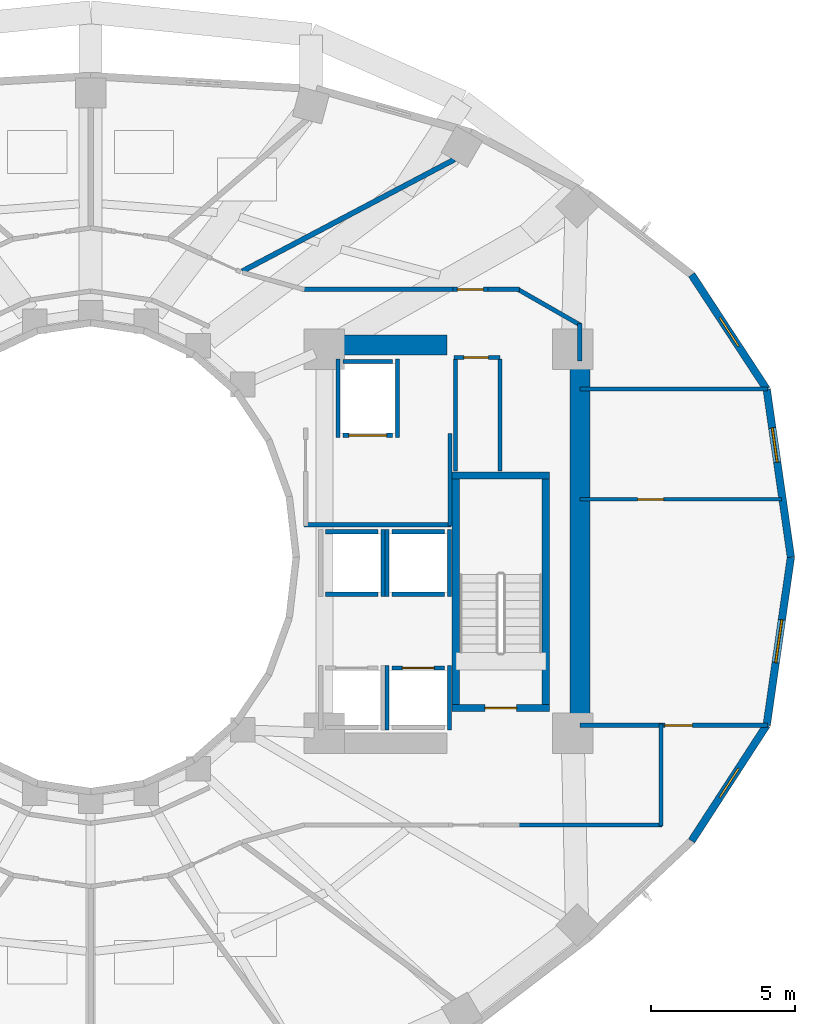
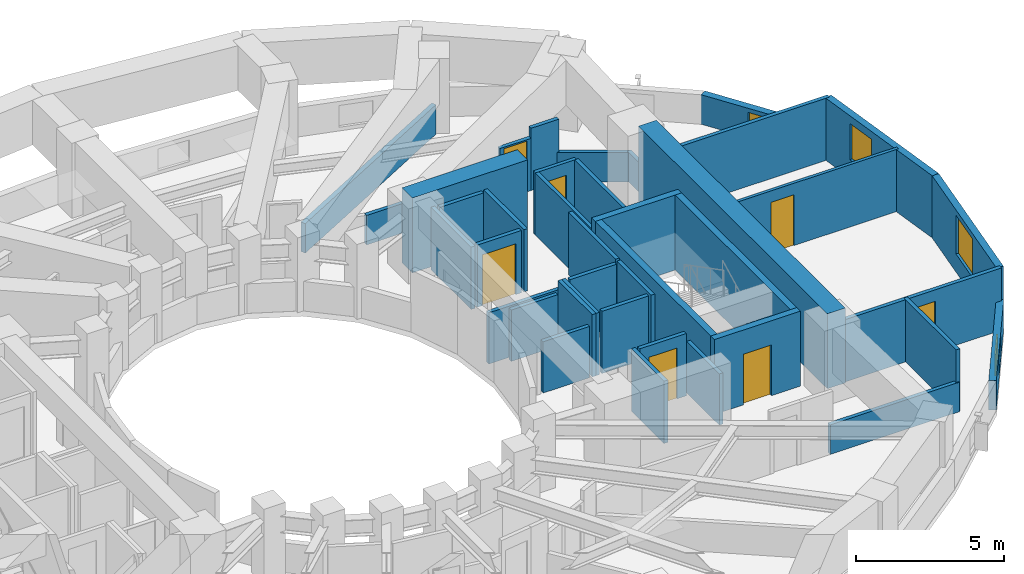
# One storey, part 6 of 10: 40 walls, 7 doors, 4 windows, 11 openings.
"""IFC4 building model written with IfcOpenShell, lengths in metres."""

from ifc_helpers import new_model, si_unit, direction, frame, frame_2d, origin, place, context, subcontext, project, spatial, rectangle, extrude, material, layer, layer_set, type_object, element, fill, save


model = new_model("IFC4")

# Units and contexts
model_context = context("Model", 3, precision=1e-05, world=origin(), true_north=direction((0.0, 1.0)))
body_context = subcontext(model_context, "Body", "Model", "MODEL_VIEW")
ifc_project = project(units=[si_unit("LENGTHUNIT", "METRE"), si_unit("AREAUNIT", "SQUARE_METRE"), si_unit("VOLUMEUNIT", "CUBIC_METRE"), si_unit("PLANEANGLEUNIT", "RADIAN"), si_unit("MASSUNIT", "GRAM", prefix="KILO")], contexts=[model_context])

# Site, building, storey
site_placement = place(None, origin())
site = spatial("IfcSite", under=ifc_project, at=site_placement, CompositionType="ELEMENT")
building_placement = place(site_placement, origin())
building = spatial("IfcBuilding", under=site, at=building_placement, Name="Solvane Sanctuary Tower", CompositionType="ELEMENT")
storey_placement = place(building_placement, frame((0.0, 0.0, 101.10009765625)))
storey = spatial("IfcBuildingStorey", under=building, at=storey_placement, Name="L30", CompositionType="ELEMENT", Elevation=101.10009765625)

# Walls
ifc_material_1 = material(Name="Concrete C60/75", Category="concrete")
ifc_layer_1 = layer(ifc_material_1, 0.699951171875, Name="Concrete C60/75")
ifc_layer_set_1 = layer_set([ifc_layer_1], Name="Concrete C60/75")
wall_type_1 = type_object("IfcWallType", Name="Wall W-CORE-700", PredefinedType="SHEAR", material=ifc_layer_set_1)
wall_1_placement = place(storey_placement, frame((48.949951171875, 17.050048828125, 0.0), z_axis=(0.0, 0.0, 1.0), x_axis=(0.0, 1.0, 0.0)))
element("IfcWall", 1, at=wall_1_placement, inside=storey, type_object=wall_type_1, Name="L30 Core Shear Wall EC-E", PredefinedType="SHEAR", context=body_context, shape_type="SweptSolid", body=[
    extrude(rectangle(XDim=12.800048828125, YDim=0.699951171875, at=frame_2d((6.39990234375, 0.0))), origin(), (0.0, 0.0, 1.0), 3.099853515625),
])
wall_2_placement = place(storey_placement, frame((39.85009765625, 30.35009765625, 0.0), z_axis=(0.0, 0.0, 1.0), x_axis=(1.0, 0.0, 0.0)))
element("IfcWall", 2, at=wall_2_placement, inside=storey, type_object=wall_type_1, Name="L30 Core Shear Wall EC-N", PredefinedType="SHEAR", context=body_context, shape_type="SweptSolid", body=[
    extrude(rectangle(XDim=4.5, YDim=0.699951171875, at=frame_2d((2.25, 0.0))), origin(), (0.0, 0.0, 1.0), 3.099853515625),
])
ifc_material_2 = material(Name="Acoustic Gypsum Partition Board")
ifc_layer_2 = layer(ifc_material_2, 0.14990234375, Name="Acoustic Gypsum Partition Board")
ifc_layer_set_2 = layer_set([ifc_layer_2], Name="Acoustic Gypsum Partition Board")
wall_type_2 = type_object("IfcWallType", Name="Wall W-CORR-150", PredefinedType="PARTITIONING", material=ifc_layer_set_2)
wall_3_placement = place(storey_placement, frame((39.39990234375, 24.1201171875, 0.0), z_axis=(0.0, 0.0, 1.0), x_axis=(1.0, 0.0, 0.0)))
element("IfcWall", 3, at=wall_3_placement, inside=storey, type_object=wall_type_2, Name="L30 East Firefighting Lobby South Wall", PredefinedType="PARTITIONING", context=body_context, shape_type="SweptSolid", body=[
    extrude(rectangle(XDim=5.080078125, YDim=0.14990234375, at=frame_2d((2.5400390625, 0.0))), origin(), (0.0, 0.0, 1.0), 2.119873046875),
])
wall_4_placement = place(storey_placement, frame((44.449951171875, 24.080078125, 0.0), z_axis=(0.0, 0.0, 1.0), x_axis=(0.0, 1.0, 0.0)))
element("IfcWall", 4, at=wall_4_placement, inside=storey, type_object=wall_type_2, Name="L30 East Firefighting Lobby East Wall", PredefinedType="PARTITIONING", context=body_context, shape_type="SweptSolid", body=[
    extrude(rectangle(XDim=3.199951171875, YDim=0.14990234375, at=frame_2d((1.60009765625, 0.0))), origin(), (0.0, 0.0, 1.0), 2.574951171875),
])

# Wall, opening, door
wall_5_placement = place(storey_placement, frame((48.949951171875, 17.1748046875, 0.0), z_axis=(0.0, 0.0, 1.0), x_axis=(1.0, 0.0, 0.0)))
wall_5 = element("IfcWall", 5, at=wall_5_placement, inside=storey, type_object=wall_type_2, Name="L30 East Shoulder South Wall", PredefinedType="PARTITIONING", context=body_context, shape_type="SweptSolid", body=[
    extrude(rectangle(XDim=6.49169921875, YDim=0.14990234375, at=frame_2d((3.245849609375, 0.0))), origin(), (0.0, 0.0, 1.0), 2.574951171875),
])
opening_1_placement = place(wall_5_placement, frame((2.947509765625, 0.0, 0.0)))
opening_1 = element("IfcOpeningElement", 6, at=opening_1_placement, cuts=wall_5, Name="Opening D-L30-08", PredefinedType="OPENING", context=body_context, shape_type="SweptSolid", body=[
    extrude(rectangle(XDim=0.949951171875, YDim=2.10009765625, at=frame_2d((0.47509765625, 1.050048828125))), frame((0.0, 0.0849609375, 0.0), z_axis=(0.0, -1.0, 0.0), x_axis=(1.0, 0.0, 0.0)), (0.0, 0.0, 1.0), 0.169921875),
])
ifc_material_3 = material(Name="Engineered Tropical Hardwood", Category="wood")
door_type_1 = type_object("IfcDoorType", Name="Door D-ROOM-950", OperationType="NOTDEFINED", PredefinedType="DOOR", material=ifc_material_3)
door_1_placement = place(opening_1_placement, origin())
door_1 = element("IfcDoor", 7, at=door_1_placement, inside=storey, type_object=door_type_1, Name="L30 East Shoulder South Door", OperationType="SINGLE_SWING_LEFT", OverallHeight=2.10009765625, OverallWidth=0.949951171875, PredefinedType="DOOR", context=body_context, shape_type="SweptSolid", body=[
    extrude(rectangle(XDim=0.949951171875, YDim=2.10009765625, at=frame_2d((0.47509765625, 1.050048828125))), frame((0.0, 0.02490234375, 0.0), z_axis=(0.0, -1.0, 0.0), x_axis=(1.0, 0.0, 0.0)), (0.0, 0.0, 1.0), 0.050048828125),
])
fill(opening_1, door_1)

# Walls
wall_6_placement = place(storey_placement, frame((48.949951171875, 28.8251953125, 0.0), z_axis=(0.0, 0.0, 1.0), x_axis=(1.0, 0.0, 0.0)))
element("IfcWall", 8, at=wall_6_placement, inside=storey, type_object=wall_type_2, Name="L30 East Shoulder North Wall", PredefinedType="PARTITIONING", context=body_context, shape_type="SweptSolid", body=[
    extrude(rectangle(XDim=6.49169921875, YDim=0.14990234375, at=frame_2d((3.245849609375, 0.0))), origin(), (0.0, 0.0, 1.0), 2.574951171875),
])
wall_7_placement = place(storey_placement, frame((48.949951171875, 29.800048828125, 0.0), z_axis=(0.0, 0.0, 1.0), x_axis=(0.0, 1.0, 0.0)))
element("IfcWall", 9, at=wall_7_placement, inside=storey, type_object=wall_type_2, Name="L30 NE Corner Closer 1", PredefinedType="PARTITIONING", context=body_context, shape_type="SweptSolid", body=[
    extrude(rectangle(XDim=1.2900390625, YDim=0.14990234375, at=frame_2d((0.64501953125, 0.0))), origin(), (0.0, 0.0, 1.0), 1.219970703125),
])
wall_8_placement = place(storey_placement, frame((39.330078125, 32.280029296875, 0.0), z_axis=(0.0, 0.0, 1.0), x_axis=(1.0, 0.0, 0.0)))
element("IfcWall", 10, at=wall_8_placement, inside=storey, type_object=wall_type_2, Name="L30 NE Corner Corridor Wall", PredefinedType="PARTITIONING", context=body_context, shape_type="SweptSolid", body=[
    extrude(rectangle(XDim=5.217529296875, YDim=0.14990234375, at=frame_2d((2.60888671875, 0.0))), origin(), (0.0, 0.0, 1.0), 1.219970703125),
])

# Wall, opening, door
wall_9_placement = place(storey_placement, frame((44.547607421875, 32.280029296875, 0.0), z_axis=(0.0, 0.0, 1.0), x_axis=(1.0, 0.0, 0.0)))
wall_9 = element("IfcWall", 11, at=wall_9_placement, inside=storey, type_object=wall_type_2, Name="L30 NE Corner Corridor Wall", PredefinedType="PARTITIONING", context=body_context, shape_type="SweptSolid", body=[
    extrude(rectangle(XDim=1.219970703125, YDim=0.14990234375, at=frame_2d((0.60986328125, 0.0))), origin(), (0.0, 0.0, 1.0), 2.159912109375),
])
opening_2_placement = place(wall_9_placement, frame((0.159912109375, 0.0, 0.0)))
opening_2 = element("IfcOpeningElement", 12, at=opening_2_placement, cuts=wall_9, Name="Opening D-L30-11", PredefinedType="OPENING", context=body_context, shape_type="SweptSolid", body=[
    extrude(rectangle(XDim=0.89990234375, YDim=2.10009765625, at=frame_2d((0.449951171875, 1.050048828125))), frame((0.0, 0.0849609375, 0.0), z_axis=(0.0, -1.0, 0.0), x_axis=(1.0, 0.0, 0.0)), (0.0, 0.0, 1.0), 0.169921875),
])
door_type_2 = type_object("IfcDoorType", Name="Door D-WET-900", OperationType="NOTDEFINED", PredefinedType="DOOR", material=ifc_material_3)
door_2_placement = place(opening_2_placement, origin())
door_2 = element("IfcDoor", 13, at=door_2_placement, inside=storey, type_object=door_type_2, Name="L30 NE Corner Salon Door", OperationType="SINGLE_SWING_RIGHT", OverallHeight=2.10009765625, OverallWidth=0.89990234375, PredefinedType="DOOR", context=body_context, shape_type="SweptSolid", body=[
    extrude(rectangle(XDim=0.89990234375, YDim=2.10009765625, at=frame_2d((0.449951171875, 1.050048828125))), frame((0.0, 0.02490234375, 0.0), z_axis=(0.0, -1.0, 0.0), x_axis=(1.0, 0.0, 0.0)), (0.0, 0.0, 1.0), 0.050048828125),
])
fill(opening_2, door_2)

# Walls
wall_10_placement = place(storey_placement, frame((45.767578125, 32.280029296875, 0.0), z_axis=(0.0, 0.0, 1.0), x_axis=(1.0, 0.0, 0.0)))
element("IfcWall", 14, at=wall_10_placement, inside=storey, type_object=wall_type_2, Name="L30 NE Corner Corridor Wall", PredefinedType="PARTITIONING", context=body_context, shape_type="SweptSolid", body=[
    extrude(rectangle(XDim=1.08251953125, YDim=0.14990234375, at=frame_2d((0.541259765625, 0.0))), origin(), (0.0, 0.0, 1.0), 2.574951171875),
])
wall_11_placement = place(storey_placement, frame((46.756591796875, 32.3046875, 0.0), z_axis=(0.0, 0.0, 1.0), x_axis=(0.867991349648, -0.496579315857, 0.0)))
element("IfcWall", 15, at=wall_11_placement, inside=storey, type_object=wall_type_2, Name="L30 NE Corner Wing Wall", PredefinedType="PARTITIONING", context=body_context, shape_type="SweptSolid", body=[
    extrude(rectangle(XDim=2.56689453125, YDim=0.14990234375, at=frame_2d((1.283447265625, 0.0))), origin(), (0.0, 0.0, 1.0), 1.219970703125),
])
wall_12_placement = place(storey_placement, frame((51.760009765625, 13.679931640625, 0.0), z_axis=(0.0, 0.0, 1.0), x_axis=(0.0, 1.0, 0.0)))
element("IfcWall", 16, at=wall_12_placement, inside=storey, type_object=wall_type_2, Name="L30 SE Corner Closer 1", PredefinedType="PARTITIONING", context=body_context, shape_type="SweptSolid", body=[
    extrude(rectangle(XDim=3.534912109375, YDim=0.14990234375, at=frame_2d((1.767578125, 0.0))), origin(), (0.0, 0.0, 1.0), 2.574951171875),
])
wall_13_placement = place(storey_placement, frame((46.75, 13.719970703125, 0.0), z_axis=(0.0, 0.0, 1.0), x_axis=(1.0, 0.0, 0.0)))
element("IfcWall", 17, at=wall_13_placement, inside=storey, type_object=wall_type_2, Name="L30 SE Corner Wing Wall", PredefinedType="PARTITIONING", context=body_context, shape_type="SweptSolid", body=[
    extrude(rectangle(XDim=5.050048828125, YDim=0.14990234375, at=frame_2d((2.52490234375, 0.0))), origin(), (0.0, 0.0, 1.0), 1.219970703125),
])

# Wall, opening, window
ifc_material_4 = material(Name="Precast concrete C40/50", Category="concrete")
ifc_layer_3 = layer(ifc_material_4, 0.260009765625, Name="Precast concrete C40/50")
ifc_layer_set_3 = layer_set([ifc_layer_3], Name="Precast concrete C40/50")
wall_type_3 = type_object("IfcWallType", Name="Wall W-EXT-250", PredefinedType="STANDARD", material=ifc_layer_set_3)
wall_14_placement = place(storey_placement, frame((56.260009765625, 23.0, 0.0), z_axis=(0.0, 0.0, 1.0), x_axis=(-0.142572472068, 0.98978436551, 0.0)))
wall_14 = element("IfcWall", 18, at=wall_14_placement, inside=storey, type_object=wall_type_3, Name="L30 Ceramic-Printed Facade Wall 00", PredefinedType="STANDARD", context=body_context, shape_type="SweptSolid", body=[
    extrude(rectangle(XDim=5.878662109375, YDim=0.260009765625, at=frame_2d((2.939453125, 0.0))), origin(), (0.0, 0.0, 1.0), 2.56982421875),
])
opening_3_placement = place(wall_14_placement, frame((3.32470703125, 0.0, 0.75)))
opening_3 = element("IfcOpeningElement", 19, at=opening_3_placement, cuts=wall_14, Name="Opening WN-OPER-1200", PredefinedType="OPENING", context=body_context, shape_type="SweptSolid", body=[
    extrude(rectangle(XDim=1.199951171875, YDim=1.5, at=frame_2d((0.60009765625, 0.75))), frame((0.0, 0.139892578125, 0.0), z_axis=(0.0, -1.0, 0.0), x_axis=(1.0, 0.0, 0.0)), (0.0, 0.0, 1.0), 0.280029296875),
])
ifc_material_5 = material(Name="Dark Ceramic-Fritted Low-E Glass", Category="glass")
window_type_1 = type_object("IfcWindowType", Name="Window WN-OPER-1200", PartitioningType="SINGLE_PANEL", PredefinedType="WINDOW", material=ifc_material_5)
window_1_placement = place(opening_3_placement, origin())
window_1 = element("IfcWindow", 20, at=window_1_placement, inside=storey, type_object=window_type_1, Name="L30 Operable Facade Window 00", OverallHeight=1.5, OverallWidth=1.199951171875, PartitioningType="SINGLE_PANEL", PredefinedType="WINDOW", context=body_context, shape_type="SweptSolid", body=[
    extrude(rectangle(XDim=1.199951171875, YDim=1.5, at=frame_2d((0.60009765625, 0.75))), frame((0.0, 0.030029296875, 0.0), z_axis=(0.0, -1.0, 0.0), x_axis=(1.0, 0.0, 0.0)), (0.0, 0.0, 1.0), 0.06005859375),
])
fill(opening_3, window_1)

wall_15_placement = place(storey_placement, frame((55.421875, 28.818603515625, 0.0), z_axis=(0.0, 0.0, 1.0), x_axis=(-0.548283220945, 0.836292717672, 0.0)))
wall_15 = element("IfcWall", 21, at=wall_15_placement, inside=storey, type_object=wall_type_3, Name="L30 Ceramic-Printed Facade Wall 01", PredefinedType="STANDARD", context=body_context, shape_type="SweptSolid", body=[
    extrude(rectangle(XDim=4.744384765625, YDim=0.260009765625, at=frame_2d((2.3720703125, 0.0))), origin(), (0.0, 0.0, 1.0), 1.219970703125),
])
opening_4_placement = place(wall_15_placement, frame((1.772216796875, 0.0, 0.14990234375)))
opening_4 = element("IfcOpeningElement", 22, at=opening_4_placement, cuts=wall_15, Name="Opening WN-OPER-1200", PredefinedType="OPENING", context=body_context, shape_type="SweptSolid", body=[
    extrude(rectangle(XDim=1.199951171875, YDim=0.89990234375, at=frame_2d((0.60009765625, 0.449951171875))), frame((0.0, 0.139892578125, 0.0), z_axis=(0.0, -1.0, 0.0), x_axis=(1.0, 0.0, 0.0)), (0.0, 0.0, 1.0), 0.280029296875),
])
window_2_placement = place(opening_4_placement, origin())
window_2 = element("IfcWindow", 23, at=window_2_placement, inside=storey, type_object=window_type_1, Name="L30 Operable Facade Window 01", OverallHeight=0.89990234375, OverallWidth=1.199951171875, PartitioningType="SINGLE_PANEL", PredefinedType="WINDOW", context=body_context, shape_type="SweptSolid", body=[
    extrude(rectangle(XDim=1.199951171875, YDim=0.89990234375, at=frame_2d((0.60009765625, 0.449951171875))), frame((0.0, 0.030029296875, 0.0), z_axis=(0.0, -1.0, 0.0), x_axis=(1.0, 0.0, 0.0)), (0.0, 0.0, 1.0), 0.06005859375),
])
fill(opening_4, window_2)

wall_16_placement = place(storey_placement, frame((52.820556640625, 13.173095703125, 0.0), z_axis=(0.0, 0.0, 1.0), x_axis=(0.544388392991, 0.838833283541, 0.0)))
wall_16 = element("IfcWall", 24, at=wall_16_placement, inside=storey, type_object=wall_type_3, Name="L30 Ceramic-Printed Facade Wall 22", PredefinedType="STANDARD", context=body_context, shape_type="SweptSolid", body=[
    extrude(rectangle(XDim=4.7783203125, YDim=0.260009765625, at=frame_2d((2.38916015625, 0.0))), origin(), (0.0, 0.0, 1.0), 1.219970703125),
])
opening_5_placement = place(wall_16_placement, frame((1.7890625, 0.0, 0.14990234375)))
opening_5 = element("IfcOpeningElement", 25, at=opening_5_placement, cuts=wall_16, Name="Opening WN-OPER-1200", PredefinedType="OPENING", context=body_context, shape_type="SweptSolid", body=[
    extrude(rectangle(XDim=1.199951171875, YDim=0.89990234375, at=frame_2d((0.60009765625, 0.449951171875))), frame((0.0, 0.139892578125, 0.0), z_axis=(0.0, -1.0, 0.0), x_axis=(1.0, 0.0, 0.0)), (0.0, 0.0, 1.0), 0.280029296875),
])
window_3_placement = place(opening_5_placement, origin())
window_3 = element("IfcWindow", 26, at=window_3_placement, inside=storey, type_object=window_type_1, Name="L30 Operable Facade Window 22", OverallHeight=0.89990234375, OverallWidth=1.199951171875, PartitioningType="SINGLE_PANEL", PredefinedType="WINDOW", context=body_context, shape_type="SweptSolid", body=[
    extrude(rectangle(XDim=1.199951171875, YDim=0.89990234375, at=frame_2d((0.60009765625, 0.449951171875))), frame((0.0, 0.030029296875, 0.0), z_axis=(0.0, -1.0, 0.0), x_axis=(1.0, 0.0, 0.0)), (0.0, 0.0, 1.0), 0.06005859375),
])
fill(opening_5, window_3)

wall_17_placement = place(storey_placement, frame((55.421875, 17.181396484375, 0.0), z_axis=(0.0, 0.0, 1.0), x_axis=(0.142572472068, 0.98978436551, 0.0)))
wall_17 = element("IfcWall", 27, at=wall_17_placement, inside=storey, type_object=wall_type_3, Name="L30 Ceramic-Printed Facade Wall 23", PredefinedType="STANDARD", context=body_context, shape_type="SweptSolid", body=[
    extrude(rectangle(XDim=5.878662109375, YDim=0.260009765625, at=frame_2d((2.939453125, 0.0))), origin(), (0.0, 0.0, 1.0), 2.56982421875),
])
opening_6_placement = place(wall_17_placement, frame((2.189453125, 0.0, 0.75)))
opening_6 = element("IfcOpeningElement", 28, at=opening_6_placement, cuts=wall_17, Name="Opening WN-OPER-1500", PredefinedType="OPENING", context=body_context, shape_type="SweptSolid", body=[
    extrude(rectangle(XDim=1.5, YDim=1.60009765625, at=frame_2d((0.75, 0.800048828125))), frame((0.0, 0.139892578125, 0.0), z_axis=(0.0, -1.0, 0.0), x_axis=(1.0, 0.0, 0.0)), (0.0, 0.0, 1.0), 0.280029296875),
])
window_type_2 = type_object("IfcWindowType", Name="Window WN-OPER-1500", PartitioningType="SINGLE_PANEL", PredefinedType="WINDOW", material=ifc_material_5)
window_4_placement = place(opening_6_placement, origin())
window_4 = element("IfcWindow", 29, at=window_4_placement, inside=storey, type_object=window_type_2, Name="L30 Operable Facade Window 23", OverallHeight=1.60009765625, OverallWidth=1.5, PartitioningType="SINGLE_PANEL", PredefinedType="WINDOW", context=body_context, shape_type="SweptSolid", body=[
    extrude(rectangle(XDim=1.5, YDim=1.60009765625, at=frame_2d((0.75, 0.800048828125))), frame((0.0, 0.030029296875, 0.0), z_axis=(0.0, -1.0, 0.0), x_axis=(1.0, 0.0, 0.0)), (0.0, 0.0, 1.0), 0.06005859375),
])
fill(opening_6, window_4)

# Wall, opening, door
ifc_layer_4 = layer(ifc_material_2, 0.1201171875, Name="Acoustic Gypsum Partition Board")
ifc_layer_set_4 = layer_set([ifc_layer_4], Name="Acoustic Gypsum Partition Board")
wall_type_4 = type_object("IfcWallType", Name="Wall W-MOV-100", PredefinedType="MOVABLE", material=ifc_layer_set_4)
wall_18_placement = place(storey_placement, frame((48.949951171875, 25.0, 0.0), z_axis=(0.0, 0.0, 1.0), x_axis=(1.0, 0.0, 0.0)))
wall_18 = element("IfcWall", 30, at=wall_18_placement, inside=storey, type_object=wall_type_4, Name="L30 East Suite Partition", PredefinedType="MOVABLE", context=body_context, shape_type="SweptSolid", body=[
    extrude(rectangle(XDim=6.982177734375, YDim=0.1201171875, at=frame_2d((3.4912109375, 0.0))), origin(), (0.0, 0.0, 1.0), 2.574951171875),
])
opening_7_placement = place(wall_18_placement, frame((2.0, 0.0, 0.0)))
opening_7 = element("IfcOpeningElement", 31, at=opening_7_placement, cuts=wall_18, Name="Opening D-L30-09", PredefinedType="OPENING", context=body_context, shape_type="SweptSolid", body=[
    extrude(rectangle(XDim=0.89990234375, YDim=2.10009765625, at=frame_2d((0.449951171875, 1.050048828125))), frame((0.0, 0.070068359375, 0.0), z_axis=(0.0, -1.0, 0.0), x_axis=(1.0, 0.0, 0.0)), (0.0, 0.0, 1.0), 0.14013671875),
])
door_3_placement = place(opening_7_placement, origin())
door_3 = element("IfcDoor", 32, at=door_3_placement, inside=storey, type_object=door_type_2, Name="L30 East Suite Internal Door", OperationType="SINGLE_SWING_RIGHT", OverallHeight=2.10009765625, OverallWidth=0.89990234375, PredefinedType="DOOR", context=body_context, shape_type="SweptSolid", body=[
    extrude(rectangle(XDim=0.89990234375, YDim=2.10009765625, at=frame_2d((0.449951171875, 1.050048828125))), frame((0.0, 0.02490234375, 0.0), z_axis=(0.0, -1.0, 0.0), x_axis=(1.0, 0.0, 0.0)), (0.0, 0.0, 1.0), 0.050048828125),
])
fill(opening_7, door_3)

ifc_material_6 = material(Name="Concrete C50/60", Category="concrete")
ifc_layer_5 = layer(ifc_material_6, 0.14990234375, Name="Concrete C50/60")
ifc_layer_set_5 = layer_set([ifc_layer_5], Name="Concrete C50/60")
wall_type_5 = type_object("IfcWallType", Name="Wall W-SHAFT-150", PredefinedType="SOLIDWALL", material=ifc_layer_set_5)
wall_19_placement = place(storey_placement, frame((42.43994140625, 19.159912109375, 0.0), z_axis=(0.0, 0.0, 1.0), x_axis=(1.0, 0.0, 0.0)))
wall_19 = element("IfcWall", 33, at=wall_19_placement, inside=storey, type_object=wall_type_5, Name="L30 PL-4 Lift Shaft Wall F", PredefinedType="SOLIDWALL", context=body_context, shape_type="SweptSolid", body=[
    extrude(rectangle(XDim=1.820068359375, YDim=0.14990234375, at=frame_2d((0.91015625, 0.0))), origin(), (0.0, 0.0, 1.0), 2.574951171875),
])
opening_8_placement = place(wall_19_placement, frame((0.360107421875, 0.0, 0.0)))
opening_8 = element("IfcOpeningElement", 34, at=opening_8_placement, cuts=wall_19, Name="Opening LD-L30-04", PredefinedType="OPENING", context=body_context, shape_type="SweptSolid", body=[
    extrude(rectangle(XDim=1.10009765625, YDim=2.10009765625, at=frame_2d((0.550048828125, 1.050048828125))), frame((0.0, 0.0849609375, 0.0), z_axis=(0.0, -1.0, 0.0), x_axis=(1.0, 0.0, 0.0)), (0.0, 0.0, 1.0), 0.169921875),
])
ifc_material_7 = material(Name="Architectural Stainless Steel 316", Category="steel")
door_type_3 = type_object("IfcDoorType", Name="Door LD-PASS-1100", OperationType="NOTDEFINED", PredefinedType="DOOR", material=ifc_material_7)
door_4_placement = place(opening_8_placement, origin())
door_4 = element("IfcDoor", 35, at=door_4_placement, inside=storey, type_object=door_type_3, Name="L30 PL-4 Lift Landing Door", OperationType="DOUBLE_DOOR_SLIDING", OverallHeight=2.10009765625, OverallWidth=1.10009765625, PredefinedType="DOOR", context=body_context, shape_type="SweptSolid", body=[
    extrude(rectangle(XDim=1.10009765625, YDim=2.10009765625, at=frame_2d((0.550048828125, 1.050048828125))), frame((0.0, 0.02490234375, 0.0), z_axis=(0.0, -1.0, 0.0), x_axis=(1.0, 0.0, 0.0)), (0.0, 0.0, 1.0), 0.050048828125),
])
fill(opening_8, door_4)

# Walls
wall_20_placement = place(storey_placement, frame((42.27001953125, 17.02001953125, 0.0), z_axis=(0.0, 0.0, 1.0), x_axis=(0.0, 1.0, 0.0)))
element("IfcWall", 36, at=wall_20_placement, inside=storey, type_object=wall_type_5, Name="L30 PL-4 Lift Shaft Wall S1", PredefinedType="SOLIDWALL", context=body_context, shape_type="SweptSolid", body=[
    extrude(rectangle(XDim=2.219970703125, YDim=0.14990234375, at=frame_2d((1.10986328125, 0.0))), origin(), (0.0, 0.0, 1.0), 2.574951171875),
])
wall_21_placement = place(storey_placement, frame((44.429931640625, 17.02001953125, 0.0), z_axis=(0.0, 0.0, 1.0), x_axis=(0.0, 1.0, 0.0)))
element("IfcWall", 37, at=wall_21_placement, inside=storey, type_object=wall_type_5, Name="L30 PL-4 Lift Shaft Wall S2", PredefinedType="SOLIDWALL", context=body_context, shape_type="SweptSolid", body=[
    extrude(rectangle(XDim=2.219970703125, YDim=0.14990234375, at=frame_2d((1.10986328125, 0.0))), origin(), (0.0, 0.0, 1.0), 2.119873046875),
])
for number, where, z_axis, x_axis, name in (
    (38, (42.43994140625, 21.719970703125, 0.0), (0.0, 0.0, 1.0), (1.0, 0.0, 0.0), "L30 PM-2 Lift Shaft Wall F"),
    (39, (42.43994140625, 23.8798828125, 0.0), (0.0, 0.0, 1.0), (1.0, 0.0, 0.0), "L30 PM-2 Lift Shaft Wall B"),
):
    element("IfcWall", number, at=place(storey_placement, frame(where, z_axis=z_axis, x_axis=x_axis)), inside=storey, type_object=wall_type_5, Name=name, PredefinedType="SOLIDWALL", context=body_context, shape_type="SweptSolid", body=[
        extrude(rectangle(XDim=1.820068359375, YDim=0.14990234375, at=frame_2d((0.91015625, 0.0))), origin(), (0.0, 0.0, 1.0), 2.574951171875),
    ])
for number, where, z_axis, x_axis, name in (
    (40, (42.27001953125, 21.639892578125, 0.0), (0.0, 0.0, 1.0), (0.0, 1.0, 0.0), "L30 PM-2 Lift Shaft Wall S1"),
    (41, (44.429931640625, 21.639892578125, 0.0), (0.0, 0.0, 1.0), (0.0, 1.0, 0.0), "L30 PM-2 Lift Shaft Wall S2"),
):
    element("IfcWall", number, at=place(storey_placement, frame(where, z_axis=z_axis, x_axis=x_axis)), inside=storey, type_object=wall_type_5, Name=name, PredefinedType="SOLIDWALL", context=body_context, shape_type="SweptSolid", body=[
        extrude(rectangle(XDim=2.320068359375, YDim=0.14990234375, at=frame_2d((1.16015625, 0.0))), origin(), (0.0, 0.0, 1.0), 2.574951171875),
    ])
for number, where, z_axis, x_axis, name in (
    (42, (40.139892578125, 21.719970703125, 0.0), (0.0, 0.0, 1.0), (1.0, 0.0, 0.0), "L30 PH-2 Lift Shaft Wall F"),
    (43, (40.139892578125, 23.8798828125, 0.0), (0.0, 0.0, 1.0), (1.0, 0.0, 0.0), "L30 PH-2 Lift Shaft Wall B"),
):
    element("IfcWall", number, at=place(storey_placement, frame(where, z_axis=z_axis, x_axis=x_axis)), inside=storey, type_object=wall_type_5, Name=name, PredefinedType="SOLIDWALL", context=body_context, shape_type="SweptSolid", body=[
        extrude(rectangle(XDim=1.820068359375, YDim=0.14990234375, at=frame_2d((0.91015625, 0.0))), origin(), (0.0, 0.0, 1.0), 2.119873046875),
    ])
wall_22_placement = place(storey_placement, frame((42.1298828125, 21.639892578125, 0.0), z_axis=(0.0, 0.0, 1.0), x_axis=(0.0, 1.0, 0.0)))
element("IfcWall", 44, at=wall_22_placement, inside=storey, type_object=wall_type_5, Name="L30 PH-2 Lift Shaft Wall S2", PredefinedType="SOLIDWALL", context=body_context, shape_type="SweptSolid", body=[
    extrude(rectangle(XDim=2.320068359375, YDim=0.14990234375, at=frame_2d((1.16015625, 0.0))), origin(), (0.0, 0.0, 1.0), 2.574951171875),
])

# Wall, opening, door
wall_23_placement = place(storey_placement, frame((40.739990234375, 27.219970703125, 0.0), z_axis=(0.0, 0.0, 1.0), x_axis=(1.0, 0.0, 0.0)))
wall_23 = element("IfcWall", 45, at=wall_23_placement, inside=storey, type_object=wall_type_5, Name="L30 FFL-2 Lift Shaft Wall F", PredefinedType="SOLIDWALL", context=body_context, shape_type="SweptSolid", body=[
    extrude(rectangle(XDim=1.719970703125, YDim=0.14990234375, at=frame_2d((0.85986328125, 0.0))), origin(), (0.0, 0.0, 1.0), 2.574951171875),
])
opening_9_placement = place(wall_23_placement, frame((0.2099609375, 0.0, 0.0)))
opening_9 = element("IfcOpeningElement", 46, at=opening_9_placement, cuts=wall_23, Name="Opening LD-L30-07", PredefinedType="OPENING", context=body_context, shape_type="SweptSolid", body=[
    extrude(rectangle(XDim=1.300048828125, YDim=2.10009765625, at=frame_2d((0.64990234375, 1.050048828125))), frame((0.0, 0.0849609375, 0.0), z_axis=(0.0, -1.0, 0.0), x_axis=(1.0, 0.0, 0.0)), (0.0, 0.0, 1.0), 0.169921875),
])
door_type_4 = type_object("IfcDoorType", Name="Door LD-FFL-1300", OperationType="NOTDEFINED", PredefinedType="DOOR", material=ifc_material_7)
door_5_placement = place(opening_9_placement, origin())
door_5 = element("IfcDoor", 47, at=door_5_placement, inside=storey, type_object=door_type_4, Name="L30 FFL-2 Lift Landing Door", OperationType="DOUBLE_DOOR_SLIDING", OverallHeight=2.10009765625, OverallWidth=1.300048828125, PredefinedType="DOOR", context=body_context, shape_type="SweptSolid", body=[
    extrude(rectangle(XDim=1.300048828125, YDim=2.10009765625, at=frame_2d((0.64990234375, 1.050048828125))), frame((0.0, 0.02490234375, 0.0), z_axis=(0.0, -1.0, 0.0), x_axis=(1.0, 0.0, 0.0)), (0.0, 0.0, 1.0), 0.050048828125),
])
fill(opening_9, door_5)

# Walls
wall_24_placement = place(storey_placement, frame((40.739990234375, 29.780029296875, 0.0), z_axis=(0.0, 0.0, 1.0), x_axis=(1.0, 0.0, 0.0)))
element("IfcWall", 48, at=wall_24_placement, inside=storey, type_object=wall_type_5, Name="L30 FFL-2 Lift Shaft Wall B", PredefinedType="SOLIDWALL", context=body_context, shape_type="SweptSolid", body=[
    extrude(rectangle(XDim=1.719970703125, YDim=0.14990234375, at=frame_2d((0.85986328125, 0.0))), origin(), (0.0, 0.0, 1.0), 2.574951171875),
])
for number, where, z_axis, x_axis, name in (
    (49, (40.570068359375, 27.139892578125, 0.0), (0.0, 0.0, 1.0), (0.0, 1.0, 0.0), "L30 FFL-2 Lift Shaft Wall S1"),
    (50, (42.6298828125, 27.139892578125, 0.0), (0.0, 0.0, 1.0), (0.0, 1.0, 0.0), "L30 FFL-2 Lift Shaft Wall S2"),
):
    element("IfcWall", number, at=place(storey_placement, frame(where, z_axis=z_axis, x_axis=x_axis)), inside=storey, type_object=wall_type_5, Name=name, PredefinedType="SOLIDWALL", context=body_context, shape_type="SweptSolid", body=[
        extrude(rectangle(XDim=2.72021484375, YDim=0.14990234375, at=frame_2d((1.360107421875, 0.0))), origin(), (0.0, 0.0, 1.0), 2.574951171875),
    ])

# Wall, opening, door
ifc_layer_6 = layer(ifc_material_6, 0.25, Name="Concrete C50/60")
ifc_layer_set_6 = layer_set([ifc_layer_6], Name="Concrete C50/60")
wall_type_6 = type_object("IfcWallType", Name="Wall W-SHAFT-250", PredefinedType="SOLIDWALL", material=ifc_layer_set_6)
wall_25_placement = place(storey_placement, frame((44.52490234375, 17.77001953125, 0.0), z_axis=(0.0, 0.0, 1.0), x_axis=(1.0, 0.0, 0.0)))
wall_25 = element("IfcWall", 51, at=wall_25_placement, inside=storey, type_object=wall_type_6, Name="L30 ST-2 Load-Bearing Shaft Wall S", PredefinedType="SOLIDWALL", context=body_context, shape_type="SweptSolid", body=[
    extrude(rectangle(XDim=3.3701171875, YDim=0.25, at=frame_2d((1.68505859375, 0.0))), origin(), (0.0, 0.0, 1.0), 3.099853515625),
])
opening_10_placement = place(wall_25_placement, frame((1.135009765625, 0.0, 0.0)))
opening_10 = element("IfcOpeningElement", 52, at=opening_10_placement, cuts=wall_25, Name="Opening D-L30-02", PredefinedType="OPENING", context=body_context, shape_type="SweptSolid", body=[
    extrude(rectangle(XDim=1.10009765625, YDim=2.10009765625, at=frame_2d((0.550048828125, 1.050048828125))), frame((0.0, 0.135009765625, 0.0), z_axis=(0.0, -1.0, 0.0), x_axis=(1.0, 0.0, 0.0)), (0.0, 0.0, 1.0), 0.27001953125),
])
door_type_5 = type_object("IfcDoorType", Name="Door D-STAIR", OperationType="NOTDEFINED", PredefinedType="DOOR", material=ifc_material_7)
door_6_placement = place(opening_10_placement, origin())
door_6 = element("IfcDoor", 53, at=door_6_placement, inside=storey, type_object=door_type_5, Name="L30 ST-2 Exit Stair Fire Door", OperationType="SINGLE_SWING_LEFT", OverallHeight=2.10009765625, OverallWidth=1.10009765625, PredefinedType="DOOR", context=body_context, shape_type="SweptSolid", body=[
    extrude(rectangle(XDim=1.10009765625, YDim=2.10009765625, at=frame_2d((0.550048828125, 1.050048828125))), frame((0.0, 0.02490234375, 0.0), z_axis=(0.0, -1.0, 0.0), x_axis=(1.0, 0.0, 0.0)), (0.0, 0.0, 1.0), 0.050048828125),
])
fill(opening_10, door_6)

# Walls
wall_26_placement = place(storey_placement, frame((44.52490234375, 25.830078125, 0.0), z_axis=(0.0, 0.0, 1.0), x_axis=(1.0, 0.0, 0.0)))
element("IfcWall", 54, at=wall_26_placement, inside=storey, type_object=wall_type_6, Name="L30 ST-2 Load-Bearing Shaft Wall N", PredefinedType="SOLIDWALL", context=body_context, shape_type="SweptSolid", body=[
    extrude(rectangle(XDim=3.3701171875, YDim=0.25, at=frame_2d((1.68505859375, 0.0))), origin(), (0.0, 0.0, 1.0), 3.099853515625),
])
for number, where, z_axis, x_axis, name in (
    (55, (44.64990234375, 17.89501953125, 0.0), (0.0, 0.0, 1.0), (0.0, 1.0, 0.0), "L30 ST-2 Load-Bearing Shaft Wall W"),
    (56, (47.77001953125, 17.89501953125, 0.0), (0.0, 0.0, 1.0), (0.0, 1.0, 0.0), "L30 ST-2 Load-Bearing Shaft Wall E"),
):
    element("IfcWall", number, at=place(storey_placement, frame(where, z_axis=z_axis, x_axis=x_axis)), inside=storey, type_object=wall_type_6, Name=name, PredefinedType="SOLIDWALL", context=body_context, shape_type="SweptSolid", body=[
        extrude(rectangle(XDim=7.81005859375, YDim=0.25, at=frame_2d((3.905029296875, 0.0))), origin(), (0.0, 0.0, 1.0), 3.099853515625),
    ])
ifc_layer_7 = layer(ifc_material_2, 0.179931640625, Name="Acoustic Gypsum Partition Board")
ifc_layer_set_7 = layer_set([ifc_layer_7], Name="Acoustic Gypsum Partition Board")
wall_type_7 = type_object("IfcWallType", Name="Wall W-UNIT-180", PredefinedType="PARTITIONING", material=ifc_layer_set_7)
wall_27_placement = place(storey_placement, frame((37.253662109375, 32.906982421875, 0.0), z_axis=(0.0, 0.0, 1.0), x_axis=(0.884730147854, 0.466103599512, 0.0)))
element("IfcWall", 57, at=wall_27_placement, inside=storey, type_object=wall_type_7, Name="L30 Radial Compartment Wall 060", PredefinedType="PARTITIONING", context=body_context, shape_type="SweptSolid", body=[
    extrude(rectangle(XDim=8.309814453125, YDim=0.179931640625, at=frame_2d((4.15478515625, 0.0))), origin(), (0.0, 0.0, 1.0), 1.219970703125),
])

# Wall, opening, door
ifc_layer_8 = layer(ifc_material_2, 0.139892578125, Name="Acoustic Gypsum Partition Board")
ifc_layer_set_8 = layer_set([ifc_layer_8], Name="Acoustic Gypsum Partition Board")
wall_type_8 = type_object("IfcWallType", Name="Wall W-WET-140", PredefinedType="PLUMBINGWALL", material=ifc_layer_set_8)
wall_28_placement = place(storey_placement, frame((44.580078125, 29.919921875, 0.0), z_axis=(0.0, 0.0, 1.0), x_axis=(1.0, 0.0, 0.0)))
wall_28 = element("IfcWall", 58, at=wall_28_placement, inside=storey, type_object=wall_type_8, Name="L30 Core Service Front Wall KE0S", PredefinedType="PLUMBINGWALL", context=body_context, shape_type="SweptSolid", body=[
    extrude(rectangle(XDim=1.599853515625, YDim=0.139892578125, at=frame_2d((0.7998046875, 0.0))), origin(), (0.0, 0.0, 1.0), 2.574951171875),
])
opening_11_placement = place(wall_28_placement, frame((0.35009765625, 0.0, 0.0)))
opening_11 = element("IfcOpeningElement", 59, at=opening_11_placement, cuts=wall_28, Name="Opening D-L30-07", PredefinedType="OPENING", context=body_context, shape_type="SweptSolid", body=[
    extrude(rectangle(XDim=0.85009765625, YDim=2.050048828125, at=frame_2d((0.425048828125, 1.02490234375))), frame((0.0, 0.079833984375, 0.0), z_axis=(0.0, -1.0, 0.0), x_axis=(1.0, 0.0, 0.0)), (0.0, 0.0, 1.0), 0.159912109375),
])
door_type_6 = type_object("IfcDoorType", Name="Door D-RISER", OperationType="NOTDEFINED", PredefinedType="DOOR", material=ifc_material_7)
door_7_placement = place(opening_11_placement, origin())
door_7 = element("IfcDoor", 60, at=door_7_placement, inside=storey, type_object=door_type_6, Name="L30 Core Service Room Door KE0S-1", OperationType="SINGLE_SWING_RIGHT", OverallHeight=2.050048828125, OverallWidth=0.85009765625, PredefinedType="DOOR", context=body_context, shape_type="SweptSolid", body=[
    extrude(rectangle(XDim=0.85009765625, YDim=2.050048828125, at=frame_2d((0.425048828125, 1.02490234375))), frame((0.0, 0.02490234375, 0.0), z_axis=(0.0, -1.0, 0.0), x_axis=(1.0, 0.0, 0.0)), (0.0, 0.0, 1.0), 0.050048828125),
])
fill(opening_11, door_7)

# Walls
for number, where, z_axis, x_axis, name in (
    (61, (44.639892578125, 25.97998046875, 0.0), (0.0, 0.0, 1.0), (0.0, 1.0, 0.0), "L30 Core Service Side Wall KE0S-1"),
    (62, (46.179931640625, 25.97998046875, 0.0), (0.0, 0.0, 1.0), (0.0, 1.0, 0.0), "L30 Core Service Side Wall KE0S-2"),
):
    element("IfcWall", number, at=place(storey_placement, frame(where, z_axis=z_axis, x_axis=x_axis)), inside=storey, type_object=wall_type_8, Name=name, PredefinedType="PLUMBINGWALL", context=body_context, shape_type="SweptSolid", body=[
        extrude(rectangle(XDim=3.880126953125, YDim=0.139892578125, at=frame_2d((1.93994140625, 0.0))), origin(), (0.0, 0.0, 1.0), 2.574951171875),
    ])

save(model, "model.ifc")
